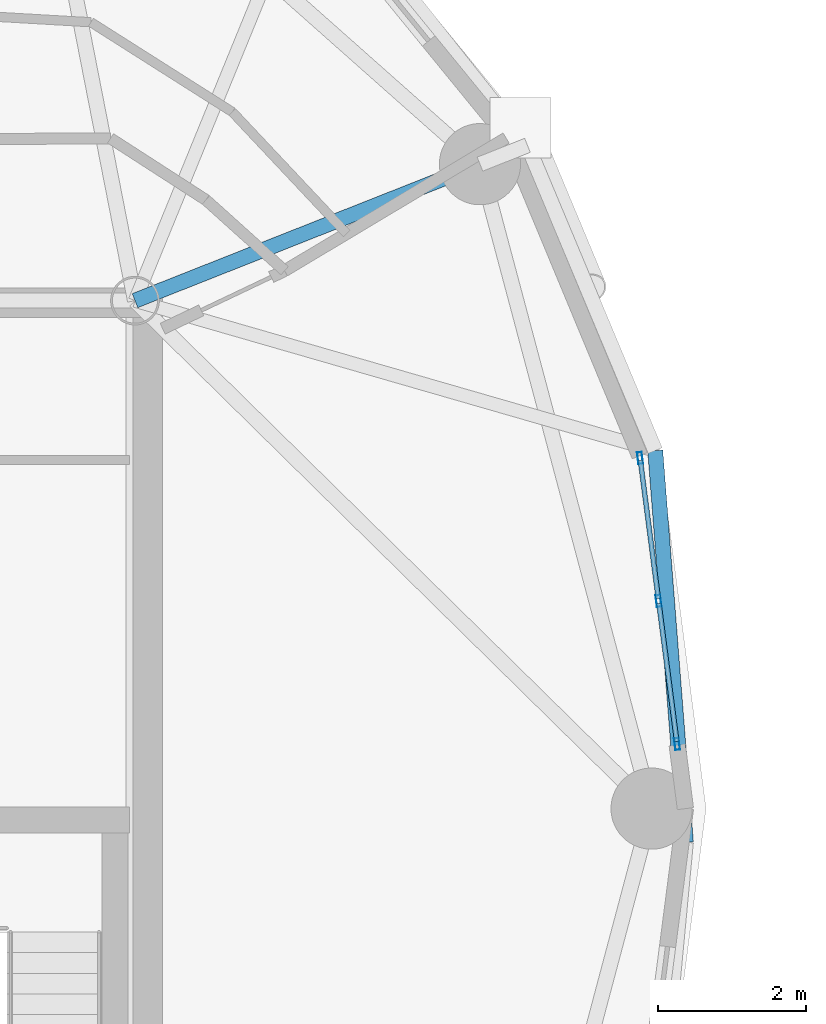
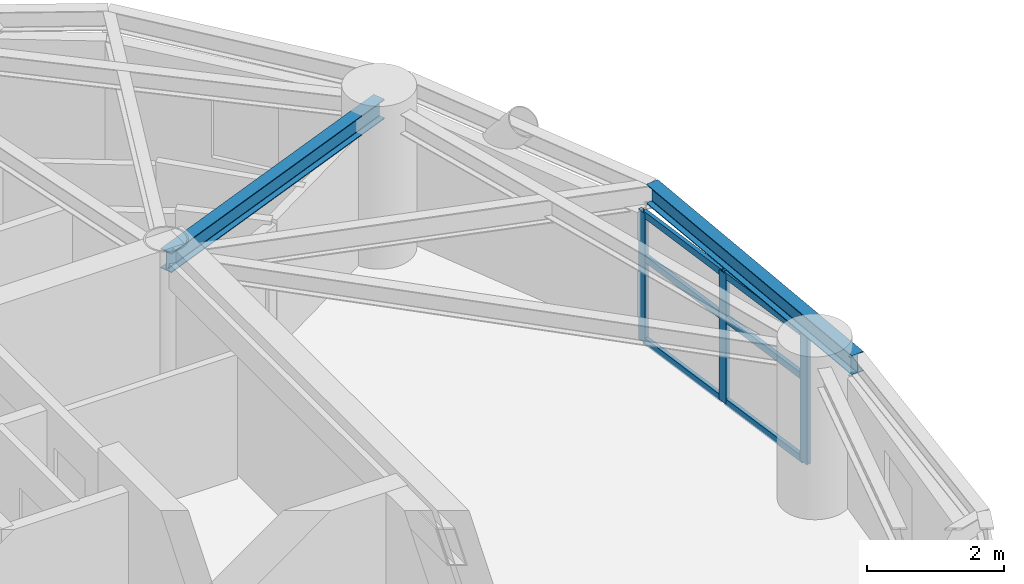
# One storey, part 3 of 16: 9 members, 2 beams, 1 element without a shape of its own.
"""IFC4 building model written with IfcOpenShell, lengths in metres."""

from ifc_helpers import new_model, si_unit, direction, frame, origin, origin_2d, place, context, subcontext, project, spatial, hollow_rectangle, i_section, extrude, material, layer, layer_set, material_profile, profile_set, type_object, element, aggregate, save


model = new_model("IFC4")

# Units and contexts
model_context = context("Model", 3, precision=1e-05, world=origin(), true_north=direction((0.0, 1.0)))
body_context = subcontext(model_context, "Body", "Model", "MODEL_VIEW")
ifc_project = project(units=[si_unit("LENGTHUNIT", "METRE"), si_unit("AREAUNIT", "SQUARE_METRE"), si_unit("VOLUMEUNIT", "CUBIC_METRE"), si_unit("PLANEANGLEUNIT", "RADIAN"), si_unit("MASSUNIT", "GRAM", prefix="KILO")], contexts=[model_context])

# Site, building, storey
site_placement = place(None, origin())
site = spatial("IfcSite", under=ifc_project, at=site_placement, CompositionType="ELEMENT")
building_placement = place(site_placement, origin())
building = spatial("IfcBuilding", under=site, at=building_placement, Name="Cununo Teusaquillo Station Towers", CompositionType="ELEMENT")
storey_placement = place(building_placement, frame((0.0, 0.0, 219.93994140625)))
storey = spatial("IfcBuildingStorey", under=building, at=storey_placement, Name="L70", CompositionType="ELEMENT", Elevation=219.93994140625)

# Beams
ifc_material_1 = material(Name="Steel ASTM A572 Grade 50", Category="steel")
ifc_material_profile_1 = material_profile(ifc_material_1, i_section(OverallWidth=0.2041015625, OverallDepth=0.35009765625, WebThickness=0.008544921875, FlangeThickness=0.01513671875, FilletRadius=0.011962890625, at=origin_2d()), Name="W14X48")
ifc_profile_set_1 = profile_set([ifc_material_profile_1], Name="Steel ASTM A572 Grade 50")
beam_type_1 = type_object("IfcBeamType", Name="BM-RAD-G3", PredefinedType="BEAM", material=ifc_profile_set_1)
beam_1_placement = place(storey_placement, frame((21.675048828125, 31.3798828125, 2.525146484375), z_axis=(0.929864104313, 0.367903176814, 0.0), x_axis=(-0.367903176814, 0.929864104313, 0.0)))
element("IfcBeam", 1, at=beam_1_placement, inside=storey, type_object=beam_type_1, Name="L70 Tower A Radial Girder 02A", PredefinedType="BEAM", context=body_context, shape_type="SweptSolid", body=[
    extrude(i_section(OverallWidth=0.2041015625, OverallDepth=0.35009765625, WebThickness=0.008544921875, FlangeThickness=0.01513671875, FilletRadius=0.011962890625, at=origin_2d()), origin(), (0.0, 0.0, 1.0), 5.02490234375),
])
ifc_material_2 = material(Name="Steel ASTM A572 Grade 50", Category="steel")
ifc_material_profile_2 = material_profile(ifc_material_2, i_section(OverallWidth=0.2041015625, OverallDepth=0.35009765625, WebThickness=0.008544921875, FlangeThickness=0.01513671875, FilletRadius=0.011962890625, at=origin_2d()), Name="W14X48")
ifc_profile_set_2 = profile_set([ifc_material_profile_2], Name="Steel ASTM A572 Grade 50")
beam_type_2 = type_object("IfcBeamType", Name="BM-RING-Z4", PredefinedType="SPANDREL", material=ifc_profile_set_2)
beam_2_placement = place(storey_placement, frame((29.135498046875, 24.044189453125, 2.525146484375), z_axis=(-0.077871988965, 0.996963366095, 0.0), x_axis=(-0.996963366095, -0.077871988965, 0.0)))
element("IfcBeam", 2, at=beam_2_placement, inside=storey, type_object=beam_type_2, Name="L70 Tower A Spandrel Ring Beam 01", PredefinedType="SPANDREL", context=body_context, shape_type="SweptSolid", body=[
    extrude(i_section(OverallWidth=0.2041015625, OverallDepth=0.35009765625, WebThickness=0.008544921875, FlangeThickness=0.01513671875, FilletRadius=0.011962890625, at=origin_2d()), origin(), (0.0, 0.0, 1.0), 5.3203125),
])

# Curtain wall, members
ifc_material_3 = material(Name="Ceramic-fritted dark low-E double glazing", Category="glass")
ifc_layer = layer(ifc_material_3, 0.179931640625)
ifc_layer_set = layer_set([ifc_layer], Name="Ceramic-fritted dark low-E double glazing")
curtain_wall_type = type_object("IfcCurtainWallType", Name="CW-SYS-07", PredefinedType="USERDEFINED", material=ifc_layer_set)
curtain_wall_placement = place(storey_placement, origin())
curtain_wall = element("IfcCurtainWall", 3, at=curtain_wall_placement, inside=storey, type_object=curtain_wall_type, Name="L70 Tower A Facade Curtain Wall C00", ObjectType="FRITTED GLAZING", PredefinedType="USERDEFINED")
ifc_material_4 = material(Name="Anodised dark bronze aluminium EN AW-6063-T6", Category="aluminium")
ifc_material_profile_3 = material_profile(ifc_material_4, hollow_rectangle(XDim=0.06494140625, YDim=0.159912109375, WallThickness=0.00390625, at=origin_2d()), Name="CW-MULL-65x160")
ifc_profile_set_3 = profile_set([ifc_material_profile_3], Name="Anodised dark bronze aluminium EN AW-6063-T6")
member_type_1 = type_object("IfcMemberType", Name="CWM-160", PredefinedType="MULLION", material=ifc_profile_set_3)
member_1_placement = place(storey_placement, frame((28.515869140625, 29.248291015625, 0.0), z_axis=(0.0, 0.0, 1.0), x_axis=(0.991741528461, 0.12825264413, 0.0)))
member_1 = element("IfcMember", 4, at=member_1_placement, type_object=member_type_1, Name="CW-07 mullion 1", PredefinedType="MULLION", context=body_context, shape_type="SweptSolid", body=[
    extrude(hollow_rectangle(XDim=0.06494140625, YDim=0.159912109375, WallThickness=0.00390625, at=origin_2d()), origin(), (0.0, 0.0, 1.0), 2.322021484375),
])
member_2_placement = place(storey_placement, frame((28.766357421875, 27.311767578125, 0.0), z_axis=(0.0, 0.0, 1.0), x_axis=(0.991741528461, 0.12825264413, 0.0)))
member_2 = element("IfcMember", 5, at=member_2_placement, type_object=member_type_1, Name="CW-07 mullion 2", PredefinedType="MULLION", context=body_context, shape_type="SweptSolid", body=[
    extrude(hollow_rectangle(XDim=0.06494140625, YDim=0.159912109375, WallThickness=0.00390625, at=origin_2d()), origin(), (0.0, 0.0, 1.0), 2.322021484375),
])
member_3_placement = place(storey_placement, frame((29.016845703125, 25.375244140625, 0.0), z_axis=(0.0, 0.0, 1.0), x_axis=(0.991741528461, 0.12825264413, 0.0)))
member_3 = element("IfcMember", 6, at=member_3_placement, type_object=member_type_1, Name="CW-07 mullion 3", PredefinedType="MULLION", context=body_context, shape_type="SweptSolid", body=[
    extrude(hollow_rectangle(XDim=0.06494140625, YDim=0.159912109375, WallThickness=0.00390625, at=origin_2d()), origin(), (0.0, 0.0, 1.0), 2.322021484375),
])
ifc_material_5 = material(Name="Anodised dark bronze aluminium EN AW-6063-T6", Category="aluminium")
ifc_material_profile_4 = material_profile(ifc_material_5, hollow_rectangle(XDim=0.06494140625, YDim=0.1201171875, WallThickness=0.00390625, at=origin_2d()), Name="CW-TRAN-65x120")
ifc_profile_set_4 = profile_set([ifc_material_profile_4], Name="Anodised dark bronze aluminium EN AW-6063-T6")
member_type_2 = type_object("IfcMemberType", Name="CWT-120", PredefinedType="USERDEFINED", material=ifc_profile_set_4)
member_4_placement = place(storey_placement, frame((28.52001953125, 29.216064453125, 0.032470703125), z_axis=(0.128299630595, -0.99173545101, 0.0), x_axis=(0.99173545101, 0.128299630595, 0.0)))
member_4 = element("IfcMember", 7, at=member_4_placement, type_object=member_type_2, Name="CW-07 transom 1.1", ObjectType="TRANSOM", PredefinedType="USERDEFINED", context=body_context, shape_type="SweptSolid", body=[
    extrude(hollow_rectangle(XDim=0.06494140625, YDim=0.1201171875, WallThickness=0.00390625, at=origin_2d()), origin(), (0.0, 0.0, 1.0), 1.8876953125),
])
member_5_placement = place(storey_placement, frame((28.52001953125, 29.216064453125, 1.509033203125), z_axis=(0.128299630595, -0.99173545101, 0.0), x_axis=(0.99173545101, 0.128299630595, 0.0)))
member_5 = element("IfcMember", 8, at=member_5_placement, type_object=member_type_2, Name="CW-07 transom 1.2", ObjectType="TRANSOM", PredefinedType="USERDEFINED", context=body_context, shape_type="SweptSolid", body=[
    extrude(hollow_rectangle(XDim=0.06494140625, YDim=0.1201171875, WallThickness=0.00390625, at=origin_2d()), origin(), (0.0, 0.0, 1.0), 1.8876953125),
])
member_6_placement = place(storey_placement, frame((28.52001953125, 29.216064453125, 2.28955078125), z_axis=(0.128299630595, -0.99173545101, 0.0), x_axis=(0.99173545101, 0.128299630595, 0.0)))
member_6 = element("IfcMember", 9, at=member_6_placement, type_object=member_type_2, Name="CW-07 transom 1.3", ObjectType="TRANSOM", PredefinedType="USERDEFINED", context=body_context, shape_type="SweptSolid", body=[
    extrude(hollow_rectangle(XDim=0.06494140625, YDim=0.1201171875, WallThickness=0.00390625, at=origin_2d()), origin(), (0.0, 0.0, 1.0), 1.8876953125),
])
member_7_placement = place(storey_placement, frame((28.7705078125, 27.279541015625, 0.032470703125), z_axis=(0.128299630595, -0.99173545101, 0.0), x_axis=(0.99173545101, 0.128299630595, 0.0)))
member_7 = element("IfcMember", 10, at=member_7_placement, type_object=member_type_2, Name="CW-07 transom 2.1", ObjectType="TRANSOM", PredefinedType="USERDEFINED", context=body_context, shape_type="SweptSolid", body=[
    extrude(hollow_rectangle(XDim=0.06494140625, YDim=0.1201171875, WallThickness=0.00390625, at=origin_2d()), origin(), (0.0, 0.0, 1.0), 1.8876953125),
])
member_8_placement = place(storey_placement, frame((28.7705078125, 27.279541015625, 1.509033203125), z_axis=(0.128299630595, -0.99173545101, 0.0), x_axis=(0.99173545101, 0.128299630595, 0.0)))
member_8 = element("IfcMember", 11, at=member_8_placement, type_object=member_type_2, Name="CW-07 transom 2.2", ObjectType="TRANSOM", PredefinedType="USERDEFINED", context=body_context, shape_type="SweptSolid", body=[
    extrude(hollow_rectangle(XDim=0.06494140625, YDim=0.1201171875, WallThickness=0.00390625, at=origin_2d()), origin(), (0.0, 0.0, 1.0), 1.8876953125),
])
member_9_placement = place(storey_placement, frame((28.7705078125, 27.279541015625, 2.28955078125), z_axis=(0.128299630595, -0.99173545101, 0.0), x_axis=(0.99173545101, 0.128299630595, 0.0)))
member_9 = element("IfcMember", 12, at=member_9_placement, type_object=member_type_2, Name="CW-07 transom 2.3", ObjectType="TRANSOM", PredefinedType="USERDEFINED", context=body_context, shape_type="SweptSolid", body=[
    extrude(hollow_rectangle(XDim=0.06494140625, YDim=0.1201171875, WallThickness=0.00390625, at=origin_2d()), origin(), (0.0, 0.0, 1.0), 1.8876953125),
])
aggregate(curtain_wall, [member_1, member_2, member_3, member_4, member_5, member_6, member_7, member_8, member_9])

save(model, "model.ifc")
